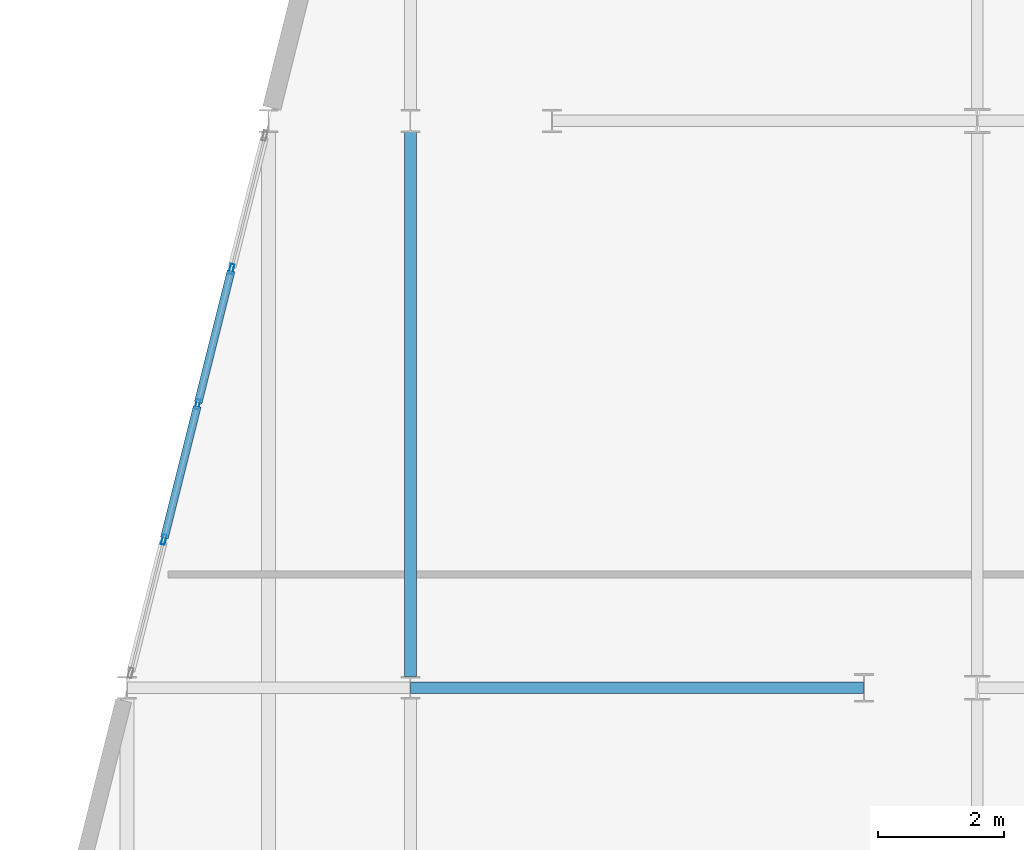
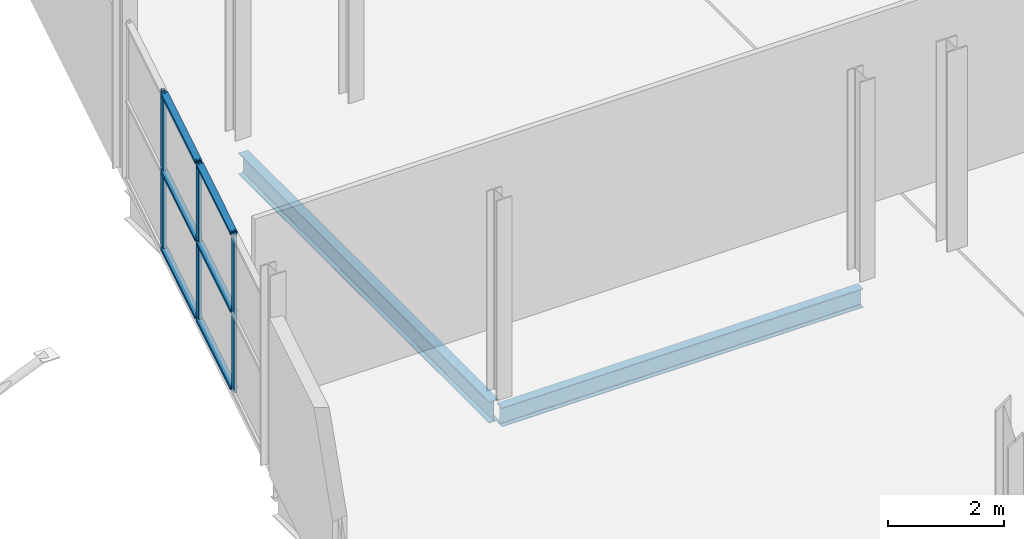
# One storey, part 97 of 140: 9 members, 2 beams, 1 element without a shape of its own.
"""IFC4 building model written with IfcOpenShell, lengths in metres."""

from ifc_helpers import new_model, si_unit, direction, frame, origin, origin_2d, place, context, subcontext, project, spatial, hollow_rectangle, i_section, extrude, material, layer, layer_set, material_profile, profile_set, type_object, element, aggregate, save


model = new_model("IFC4")

# Units and contexts
model_context = context("Model", 3, precision=1e-05, world=origin(), true_north=direction((0.0, 1.0)))
body_context = subcontext(model_context, "Body", "Model", "MODEL_VIEW")
ifc_project = project(units=[si_unit("LENGTHUNIT", "METRE"), si_unit("AREAUNIT", "SQUARE_METRE"), si_unit("VOLUMEUNIT", "CUBIC_METRE"), si_unit("PLANEANGLEUNIT", "RADIAN"), si_unit("MASSUNIT", "GRAM", prefix="KILO")], contexts=[model_context])

# Site, building, storey
site_placement = place(None, origin())
site = spatial("IfcSite", under=ifc_project, at=site_placement, CompositionType="ELEMENT")
building_placement = place(site_placement, origin())
building = spatial("IfcBuilding", under=site, at=building_placement, Name="Deido Ridge Mobility Hub", CompositionType="ELEMENT")
storey_placement = place(building_placement, origin())
storey = spatial("IfcBuildingStorey", under=building, at=storey_placement, Name="L00", CompositionType="ELEMENT", Elevation=0.0)

# Beams
ifc_material_1 = material(Name="Steel S355J2 EN 10025-2", Category="steel")
ifc_material_profile_1 = material_profile(ifc_material_1, i_section(OverallWidth=0.179931640625, OverallDepth=0.39990234375, WebThickness=0.008544921875, FlangeThickness=0.013427734375, FilletRadius=0.02099609375, at=origin_2d()), Name="IPE 400")
ifc_profile_set_1 = profile_set([ifc_material_profile_1], Name="Steel S355J2 EN 10025-2")
beam_type_1 = type_object("IfcBeamType", Name="BM-IPE400", PredefinedType="BEAM", material=ifc_profile_set_1)
beam_1_placement = place(storey_placement, frame((135.006103515625, 54.0, -0.4599609375), z_axis=(1.0, 0.0, 0.0), x_axis=(0.0, 1.0, 0.0)))
element("IfcBeam", 1, at=beam_1_placement, inside=storey, type_object=beam_type_1, Name="Floor beam B5", PredefinedType="BEAM", context=body_context, shape_type="SweptSolid", body=[
    extrude(i_section(OverallWidth=0.179931640625, OverallDepth=0.39990234375, WebThickness=0.008544921875, FlangeThickness=0.013427734375, FilletRadius=0.02099609375, at=origin_2d()), origin(), (0.0, 0.0, 1.0), 7.18701171875),
])
ifc_material_profile_2 = material_profile(ifc_material_1, i_section(OverallWidth=0.18994140625, OverallDepth=0.449951171875, WebThickness=0.009521484375, FlangeThickness=0.0146484375, FilletRadius=0.02099609375, at=origin_2d()), Name="IPE 450")
ifc_profile_set_2 = profile_set([ifc_material_profile_2], Name="Steel S355J2 EN 10025-2")
beam_type_2 = type_object("IfcBeamType", Name="BM-IPE450", PredefinedType="BEAM", material=ifc_profile_set_2)
beam_2_placement = place(storey_placement, frame((135.0, 54.179931640625, -0.485107421875), z_axis=(0.0, 1.0, 0.0), x_axis=(-1.0, 0.0, 0.0)))
element("IfcBeam", 2, at=beam_2_placement, inside=storey, type_object=beam_type_2, Name="Floor beam B4", PredefinedType="BEAM", context=body_context, shape_type="SweptSolid", body=[
    extrude(i_section(OverallWidth=0.18994140625, OverallDepth=0.449951171875, WebThickness=0.009521484375, FlangeThickness=0.0146484375, FilletRadius=0.02099609375, at=origin_2d()), origin(), (0.0, 0.0, 1.0), 8.64013671875),
])

# Curtain wall, members
ifc_material_2 = material(Name="Anodised aluminium EN AW-6063 T6", Category="aluminium")
ifc_layer = layer(ifc_material_2, 0.2099609375, Name="Anodised aluminium EN AW-6063 T6")
ifc_layer_set = layer_set([ifc_layer], Name="Anodised aluminium EN AW-6063 T6")
curtain_wall_type = type_object("IfcCurtainWallType", Name="CW-UF-4", PredefinedType="USERDEFINED", material=ifc_layer_set)
curtain_wall_placement = place(storey_placement, origin())
curtain_wall = element("IfcCurtainWall", 3, at=curtain_wall_placement, inside=storey, type_object=curtain_wall_type, Name="Unitised curtain wall CW4", ObjectType="UNITISED FACADE", PredefinedType="USERDEFINED")
ifc_material_profile_3 = material_profile(ifc_material_2, hollow_rectangle(XDim=0.06005859375, YDim=0.159912109375, WallThickness=0.00390625, at=origin_2d()), Name="RHS 60x160x4")
ifc_profile_set_3 = profile_set([ifc_material_profile_3], Name="Anodised aluminium EN AW-6063 T6")
member_type_1 = type_object("IfcMemberType", Name="MEM-MUL-60X160", PredefinedType="MULLION", material=ifc_profile_set_3)
member_1_placement = place(storey_placement, frame((131.088134765625, 56.352294921875, 0.0), z_axis=(0.0, 0.0, 1.0), x_axis=(-0.970143828731, 0.242530310632, 0.0)))
member_1 = element("IfcMember", 4, at=member_1_placement, type_object=member_type_1, Name="CW4 mullion 2", PredefinedType="MULLION", context=body_context, shape_type="SweptSolid", body=[
    extrude(hollow_rectangle(XDim=0.06005859375, YDim=0.159912109375, WallThickness=0.00390625, at=origin_2d()), origin(), (0.0, 0.0, 1.0), 3.324951171875),
])
member_2_placement = place(storey_placement, frame((131.625, 58.5, 0.0), z_axis=(0.0, 0.0, 1.0), x_axis=(-0.970143828731, 0.242530310632, 0.0)))
member_2 = element("IfcMember", 5, at=member_2_placement, type_object=member_type_1, Name="CW4 mullion 3", PredefinedType="MULLION", context=body_context, shape_type="SweptSolid", body=[
    extrude(hollow_rectangle(XDim=0.06005859375, YDim=0.159912109375, WallThickness=0.00390625, at=origin_2d()), origin(), (0.0, 0.0, 1.0), 3.324951171875),
])
member_3_placement = place(storey_placement, frame((132.161865234375, 60.647705078125, 0.0), z_axis=(0.0, 0.0, 1.0), x_axis=(-0.970143828731, 0.242530310632, 0.0)))
member_3 = element("IfcMember", 6, at=member_3_placement, type_object=member_type_1, Name="CW4 mullion 4", PredefinedType="MULLION", context=body_context, shape_type="SweptSolid", body=[
    extrude(hollow_rectangle(XDim=0.06005859375, YDim=0.159912109375, WallThickness=0.00390625, at=origin_2d()), origin(), (0.0, 0.0, 1.0), 3.324951171875),
])
ifc_material_profile_4 = material_profile(ifc_material_2, hollow_rectangle(XDim=0.125, YDim=0.06005859375, WallThickness=0.00390625, at=origin_2d()), Name="RHS 125x60x4")
ifc_profile_set_4 = profile_set([ifc_material_profile_4], Name="Anodised aluminium EN AW-6063 T6")
member_type_2 = type_object("IfcMemberType", Name="MEM-TRN-125X60", PredefinedType="USERDEFINED", material=ifc_profile_set_4)
member_4_placement = place(storey_placement, frame((131.095458984375, 56.38134765625, 0.030029296875), z_axis=(0.242455612459, 0.970162499784, 0.0), x_axis=(-0.970162499784, 0.242455612459, 0.0)))
member_4 = element("IfcMember", 7, at=member_4_placement, type_object=member_type_2, Name="CW4 transom 2.1", ObjectType="TRANSOM", PredefinedType="USERDEFINED", context=body_context, shape_type="SweptSolid", body=[
    extrude(hollow_rectangle(XDim=0.125, YDim=0.06005859375, WallThickness=0.00390625, at=origin_2d()), origin(), (0.0, 0.0, 1.0), 2.15380859375),
])
member_5_placement = place(storey_placement, frame((131.095458984375, 56.38134765625, 1.66259765625), z_axis=(0.242455612459, 0.970162499784, 0.0), x_axis=(-0.970162499784, 0.242455612459, 0.0)))
member_5 = element("IfcMember", 8, at=member_5_placement, type_object=member_type_2, Name="CW4 transom 2.2", ObjectType="TRANSOM", PredefinedType="USERDEFINED", context=body_context, shape_type="SweptSolid", body=[
    extrude(hollow_rectangle(XDim=0.125, YDim=0.06005859375, WallThickness=0.00390625, at=origin_2d()), origin(), (0.0, 0.0, 1.0), 2.15380859375),
])
member_6_placement = place(storey_placement, frame((131.095458984375, 56.38134765625, 3.294921875), z_axis=(0.242455612459, 0.970162499784, 0.0), x_axis=(-0.970162499784, 0.242455612459, 0.0)))
member_6 = element("IfcMember", 9, at=member_6_placement, type_object=member_type_2, Name="CW4 transom 2.3", ObjectType="TRANSOM", PredefinedType="USERDEFINED", context=body_context, shape_type="SweptSolid", body=[
    extrude(hollow_rectangle(XDim=0.125, YDim=0.06005859375, WallThickness=0.00390625, at=origin_2d()), origin(), (0.0, 0.0, 1.0), 2.15380859375),
])
member_7_placement = place(storey_placement, frame((131.63232421875, 58.529052734375, 0.030029296875), z_axis=(0.242455612459, 0.970162499784, 0.0), x_axis=(-0.970162499784, 0.242455612459, 0.0)))
member_7 = element("IfcMember", 10, at=member_7_placement, type_object=member_type_2, Name="CW4 transom 3.1", ObjectType="TRANSOM", PredefinedType="USERDEFINED", context=body_context, shape_type="SweptSolid", body=[
    extrude(hollow_rectangle(XDim=0.125, YDim=0.06005859375, WallThickness=0.00390625, at=origin_2d()), origin(), (0.0, 0.0, 1.0), 2.15380859375),
])
member_8_placement = place(storey_placement, frame((131.63232421875, 58.529052734375, 1.66259765625), z_axis=(0.242455612459, 0.970162499784, 0.0), x_axis=(-0.970162499784, 0.242455612459, 0.0)))
member_8 = element("IfcMember", 11, at=member_8_placement, type_object=member_type_2, Name="CW4 transom 3.2", ObjectType="TRANSOM", PredefinedType="USERDEFINED", context=body_context, shape_type="SweptSolid", body=[
    extrude(hollow_rectangle(XDim=0.125, YDim=0.06005859375, WallThickness=0.00390625, at=origin_2d()), origin(), (0.0, 0.0, 1.0), 2.15380859375),
])
member_9_placement = place(storey_placement, frame((131.63232421875, 58.529052734375, 3.294921875), z_axis=(0.242455612459, 0.970162499784, 0.0), x_axis=(-0.970162499784, 0.242455612459, 0.0)))
member_9 = element("IfcMember", 12, at=member_9_placement, type_object=member_type_2, Name="CW4 transom 3.3", ObjectType="TRANSOM", PredefinedType="USERDEFINED", context=body_context, shape_type="SweptSolid", body=[
    extrude(hollow_rectangle(XDim=0.125, YDim=0.06005859375, WallThickness=0.00390625, at=origin_2d()), origin(), (0.0, 0.0, 1.0), 2.15380859375),
])
aggregate(curtain_wall, [member_1, member_2, member_3, member_4, member_5, member_6, member_7, member_8, member_9])

save(model, "model.ifc")
